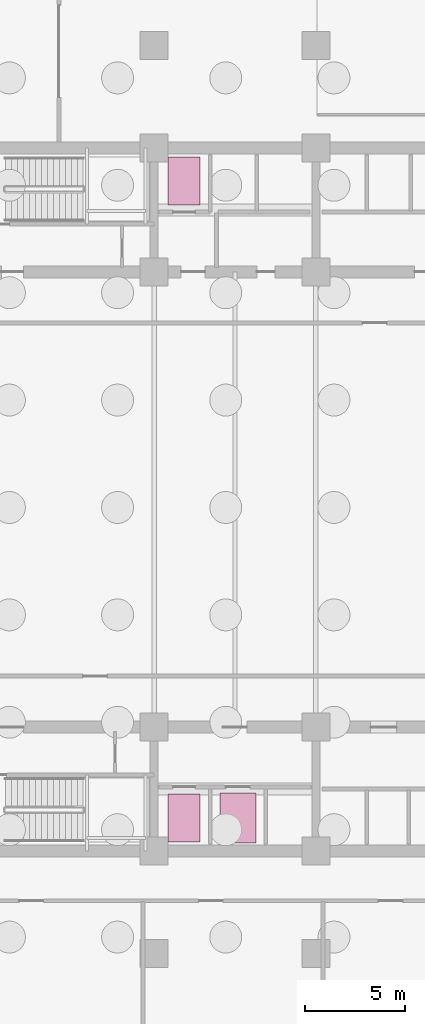
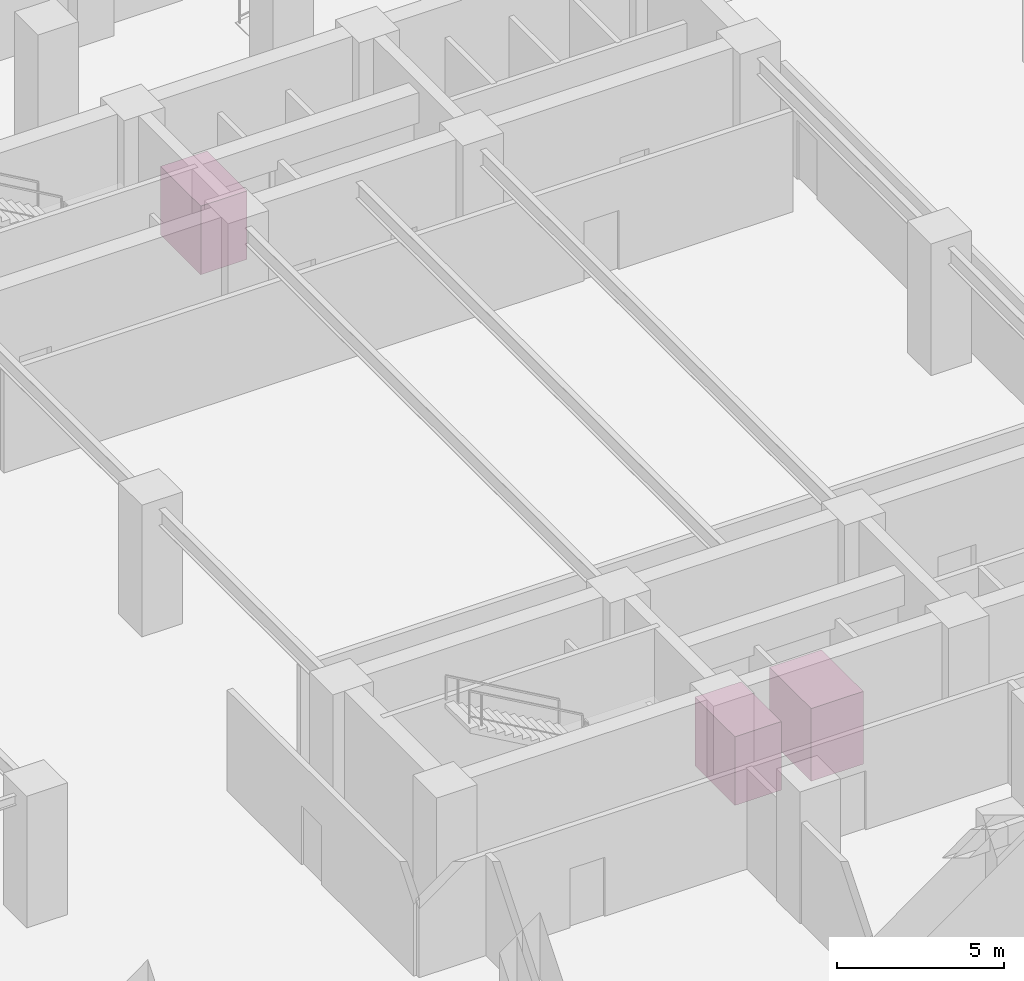
# One storey, part 13 of 13: 3 transport elements.
"""IFC4 building model written with IfcOpenShell, lengths in metres."""

from ifc_helpers import new_model, si_unit, direction, frame, origin, origin_2d, place, context, subcontext, project, spatial, rectangle, extrude, material, type_object, element, save


model = new_model("IFC4")

# Units and contexts
model_context = context("Model", 3, precision=1e-05, world=origin(), true_north=direction((0.0, 1.0)))
body_context = subcontext(model_context, "Body", "Model", "MODEL_VIEW")
ifc_project = project(units=[si_unit("LENGTHUNIT", "METRE"), si_unit("AREAUNIT", "SQUARE_METRE"), si_unit("VOLUMEUNIT", "CUBIC_METRE"), si_unit("PLANEANGLEUNIT", "RADIAN"), si_unit("MASSUNIT", "GRAM", prefix="KILO")], contexts=[model_context])

# Site, building, storey
site_placement = place(None, origin())
site = spatial("IfcSite", under=ifc_project, at=site_placement, CompositionType="ELEMENT")
building_placement = place(site_placement, origin())
building = spatial("IfcBuilding", under=site, at=building_placement, Name="Svetorya Sky Lyceum", CompositionType="ELEMENT")
storey_placement = place(building_placement, frame((0.0, 0.0, -4.800048828125)))
storey = spatial("IfcBuildingStorey", under=building, at=storey_placement, Name="B01", CompositionType="ELEMENT", Elevation=-4.800048828125)

# Transport elements
ifc_material = material(Name="Brushed stainless AISI 304 cab")
transport_element_type_1 = type_object("IfcTransportElementType", Name="LFT-FIRE-1800", PredefinedType="ELEVATOR", material=ifc_material)
for number, where, z_axis, x_axis, name in (
    (1, (36.64990234375, 44.14990234375, 0.0), (0.0, 0.0, 1.0), (1.0, 0.0, 0.0), "North Firefighting Lift FL1 (FL1)"),
    (2, (36.64990234375, 12.25, 0.0), (0.0, 0.0, 1.0), (1.0, 0.0, 0.0), "South Firefighting Lift FL2 (FL2)"),
):
    element("IfcTransportElement", number, at=place(storey_placement, frame(where, z_axis=z_axis, x_axis=x_axis)), inside=storey, type_object=transport_element_type_1, Name=name, PredefinedType="ELEVATOR", context=body_context, shape_type="SweptSolid", body=[
        extrude(rectangle(XDim=1.60009765625, YDim=2.39990234375, at=origin_2d()), origin(), (0.0, 0.0, 1.0), 2.5),
    ])
transport_element_type_2 = type_object("IfcTransportElementType", Name="LFT-SERV-2250", PredefinedType="ELEVATOR", material=ifc_material)
transport_element_placement = place(storey_placement, frame((39.35009765625, 12.25, 0.0), z_axis=(0.0, 0.0, 1.0), x_axis=(1.0, 0.0, 0.0)))
element("IfcTransportElement", 3, at=transport_element_placement, inside=storey, type_object=transport_element_type_2, Name="Tower Service and Goods Lift SVL1 (SVL1)", PredefinedType="ELEVATOR", context=body_context, shape_type="SweptSolid", body=[
    extrude(rectangle(XDim=1.800048828125, YDim=2.5, at=origin_2d()), origin(), (0.0, 0.0, 1.0), 2.64990234375),
])

save(model, "model.ifc")
